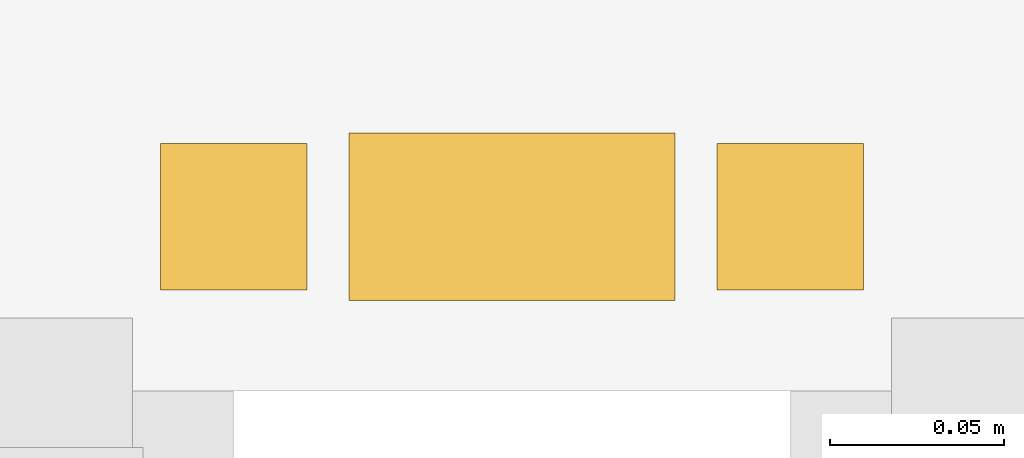
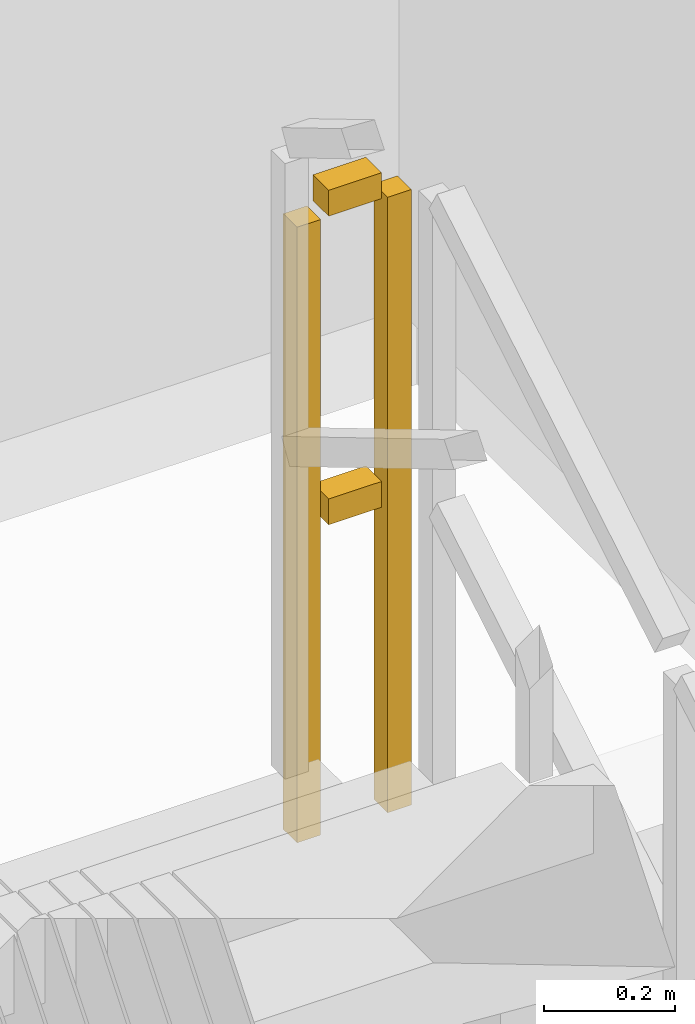
# One storey, part 12 of 12: 1 railing.
"""IFC4 building model written with IfcOpenShell, lengths in metres."""

from ifc_helpers import new_model, si_unit, direction, frame, origin, origin_2d, place, context, subcontext, project, spatial, rectangle, extrude, material, type_object, element, save


model = new_model("IFC4")

# Units and contexts
model_context = context("Model", 3, precision=1e-05, world=origin(), true_north=direction((0.0, 1.0)))
body_context = subcontext(model_context, "Body", "Model", "MODEL_VIEW")
ifc_project = project(units=[si_unit("LENGTHUNIT", "METRE"), si_unit("AREAUNIT", "SQUARE_METRE"), si_unit("VOLUMEUNIT", "CUBIC_METRE"), si_unit("PLANEANGLEUNIT", "RADIAN"), si_unit("MASSUNIT", "GRAM", prefix="KILO")], contexts=[model_context])

# Site, building, storey
site_placement = place(None, origin())
site = spatial("IfcSite", under=ifc_project, at=site_placement, CompositionType="ELEMENT")
building_placement = place(site_placement, origin())
building = spatial("IfcBuilding", under=site, at=building_placement, Name="Saelheon Loggia Tower", CompositionType="ELEMENT")
storey_placement = place(building_placement, frame((0.0, 0.0, 95.85009765625)))
storey = spatial("IfcBuildingStorey", under=building, at=storey_placement, Name="L30", CompositionType="ELEMENT", Elevation=95.85009765625)

# Railing
ifc_material = material(Name="Galvanised Steel S275 Stairwell Guardrail", Category="steel")
railing_type = type_object("IfcRailingType", Name="Guard_StairWell_RL_STG", PredefinedType="GUARDRAIL", material=ifc_material)
railing_placement = place(storey_placement, frame((42.489990234375, 32.739990234375, 1.5)))
element("IfcRailing", 1, at=railing_placement, inside=storey, type_object=railing_type, Name="L30 ST2 stair guard 2", PredefinedType="GUARDRAIL", context=body_context, shape_type="SweptSolid", body=[
    extrude(rectangle(XDim=0.048095703125, YDim=0.048095703125, at=origin_2d()), frame((-0.033203125, 0.0, 1.17578125), z_axis=(-1.0, 0.0, 0.0), x_axis=(0.0, -1.0, 0.0)), (0.0, 0.0, 1.0), 0.093505859375),
    extrude(rectangle(XDim=0.048095703125, YDim=0.048095703125, at=origin_2d()), frame((-0.033203125, 0.0, 0.60009765625), z_axis=(-1.0, 0.0, 0.0), x_axis=(0.0, -1.0, 0.0)), (0.0, 0.0, 1.0), 0.093505859375),
    extrude(rectangle(XDim=0.0419921875, YDim=0.0419921875, at=origin_2d()), origin(), (0.0, 0.0, 1.0), 1.14794921875),
    extrude(rectangle(XDim=0.0419921875, YDim=0.0419921875, at=origin_2d()), frame((-0.159912109375, 0.0, 0.0)), (0.0, 0.0, 1.0), 1.14794921875),
])

save(model, "model.ifc")
